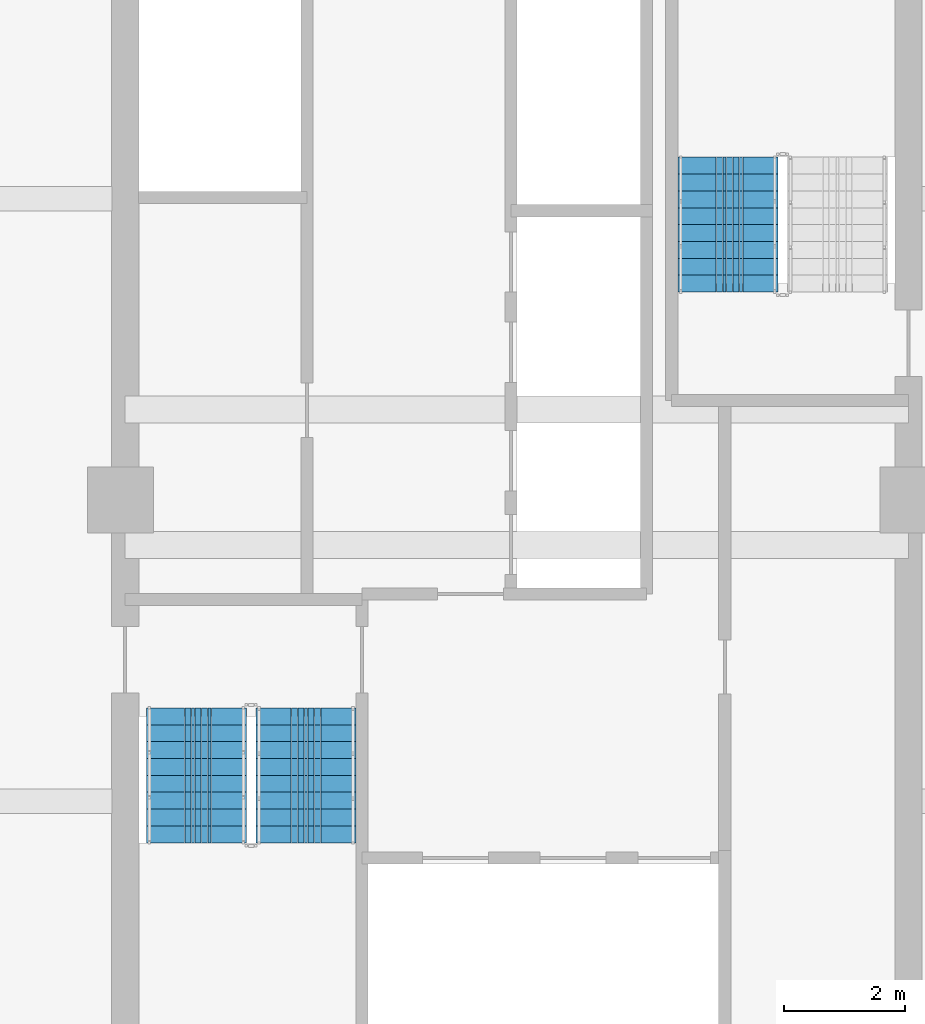
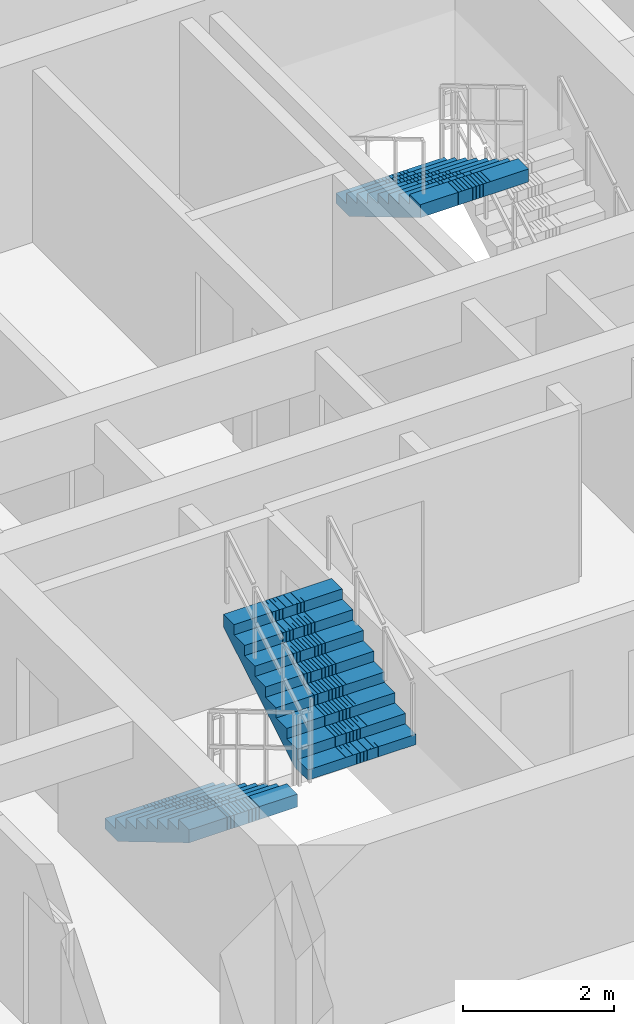
# One storey, part 18 of 24: 3 stair flights, 2 elements without a shape of their own.
"""IFC4 building model written with IfcOpenShell, lengths in metres."""

from ifc_helpers import new_model, si_unit, direction, frame, origin, place, context, subcontext, project, spatial, polyline, outline, extrude, material, type_object, element, aggregate, save


model = new_model("IFC4")

# Units and contexts
model_context = context("Model", 3, precision=1e-05, world=origin(), true_north=direction((0.0, 1.0)))
body_context = subcontext(model_context, "Body", "Model", "MODEL_VIEW")
ifc_project = project(units=[si_unit("LENGTHUNIT", "METRE"), si_unit("AREAUNIT", "SQUARE_METRE"), si_unit("VOLUMEUNIT", "CUBIC_METRE"), si_unit("PLANEANGLEUNIT", "RADIAN"), si_unit("MASSUNIT", "GRAM", prefix="KILO")], contexts=[model_context])

# Site, building, storey
site_placement = place(None, origin())
site = spatial("IfcSite", under=ifc_project, at=site_placement, CompositionType="ELEMENT")
building_placement = place(site_placement, origin())
building = spatial("IfcBuilding", under=site, at=building_placement, Name="Saelheon Loggia Tower", CompositionType="ELEMENT")
storey_placement = place(building_placement, frame((0.0, 0.0, 166.0)))
storey = spatial("IfcBuildingStorey", under=building, at=storey_placement, Name="L52", CompositionType="ELEMENT", Elevation=166.0)

# Stair, stair flights
ifc_material = material(Name="Concrete C40/50", Category="concrete")
stair_type = type_object("IfcStairType", Name="Stair_Escape_Core", PredefinedType="HALF_TURN_STAIR", material=ifc_material)
stair_1_placement = place(storey_placement, origin())
stair_1 = element("IfcStair", 1, at=stair_1_placement, inside=storey, type_object=stair_type, Name="L52 Special Escape Stair ST1", PredefinedType="HALF_TURN_STAIR")
stair_flight_type = type_object("IfcStairFlightType", Name="StairFlight_Tower_1660", PredefinedType="STRAIGHT", material=ifc_material)
stair_flight_1_placement = place(storey_placement, frame((32.679931640625, 23.550048828125, 0.0), z_axis=(0.0, 0.0, 1.0), x_axis=(0.0, -1.0, 0.0)))
stair_flight_1 = element("IfcStairFlight", 2, at=stair_flight_1_placement, type_object=stair_flight_type, Name="ST1 flight 1", NumberOfRisers=9, NumberOfTreads=8, PredefinedType="STRAIGHT", RiserHeight=0.166666667, TreadLength=0.28, context=body_context, shape_type="SweptSolid", body=[
    extrude(outline(polyline([(0.0, 0.0), (0.0, 0.166748046875), (0.280029296875, 0.166748046875), (0.280029296875, 0.333251953125), (0.56005859375, 0.333251953125), (0.56005859375, 0.5), (0.840087890625, 0.5), (0.840087890625, 0.666748046875), (1.1201171875, 0.666748046875), (1.1201171875, 0.833251953125), (1.39990234375, 0.833251953125), (1.39990234375, 1.0), (1.679931640625, 1.0), (1.679931640625, 1.166748046875), (1.9599609375, 1.166748046875), (1.9599609375, 1.333251953125), (2.239990234375, 1.333251953125), (2.239990234375, 1.5), (2.239990234375, 1.1240234375), (0.351806640625, 0.0), (0.0, 0.0)])), frame((0.0, -0.2490234375, 0.0), z_axis=(0.0, -1.0, 0.0), x_axis=(1.0, 0.0, 0.0)), (0.0, 0.0, 1.0), 0.5810546875),
    extrude(outline(polyline([(0.0, 0.0), (0.0, 0.166748046875), (0.280029296875, 0.166748046875), (0.280029296875, 0.333251953125), (0.56005859375, 0.333251953125), (0.56005859375, 0.5), (0.840087890625, 0.5), (0.840087890625, 0.666748046875), (1.1201171875, 0.666748046875), (1.1201171875, 0.833251953125), (1.39990234375, 0.833251953125), (1.39990234375, 1.0), (1.679931640625, 1.0), (1.679931640625, 1.166748046875), (1.9599609375, 1.166748046875), (1.9599609375, 1.333251953125), (2.239990234375, 1.333251953125), (2.239990234375, 1.5), (2.239990234375, 1.1240234375), (0.351806640625, 0.0), (0.0, 0.0)])), frame((0.0, -0.194091796875, 0.0), z_axis=(0.0, -1.0, 0.0), x_axis=(1.0, 0.0, 0.0)), (0.0, 0.0, 1.0), 0.0498046875),
    extrude(outline(polyline([(0.0, 0.0), (0.0, 0.166748046875), (0.280029296875, 0.166748046875), (0.280029296875, 0.333251953125), (0.56005859375, 0.333251953125), (0.56005859375, 0.5), (0.840087890625, 0.5), (0.840087890625, 0.666748046875), (1.1201171875, 0.666748046875), (1.1201171875, 0.833251953125), (1.39990234375, 0.833251953125), (1.39990234375, 1.0), (1.679931640625, 1.0), (1.679931640625, 1.166748046875), (1.9599609375, 1.166748046875), (1.9599609375, 1.333251953125), (2.239990234375, 1.333251953125), (2.239990234375, 1.5), (2.239990234375, 1.1240234375), (0.351806640625, 0.0), (0.0, 0.0)])), frame((0.0, -0.139404296875, 0.0), z_axis=(0.0, -1.0, 0.0), x_axis=(1.0, 0.0, 0.0)), (0.0, 0.0, 1.0), 0.0498046875),
    extrude(outline(polyline([(0.0, 0.0), (0.0, 0.166748046875), (0.280029296875, 0.166748046875), (0.280029296875, 0.333251953125), (0.56005859375, 0.333251953125), (0.56005859375, 0.5), (0.840087890625, 0.5), (0.840087890625, 0.666748046875), (1.1201171875, 0.666748046875), (1.1201171875, 0.833251953125), (1.39990234375, 0.833251953125), (1.39990234375, 1.0), (1.679931640625, 1.0), (1.679931640625, 1.166748046875), (1.9599609375, 1.166748046875), (1.9599609375, 1.333251953125), (2.239990234375, 1.333251953125), (2.239990234375, 1.5), (2.239990234375, 1.1240234375), (0.351806640625, 0.0), (0.0, 0.0)])), frame((0.0, -0.084716796875, 0.0), z_axis=(0.0, -1.0, 0.0), x_axis=(1.0, 0.0, 0.0)), (0.0, 0.0, 1.0), 0.0498046875),
    extrude(outline(polyline([(0.0, 0.0), (0.0, 0.166748046875), (0.280029296875, 0.166748046875), (0.280029296875, 0.333251953125), (0.56005859375, 0.333251953125), (0.56005859375, 0.5), (0.840087890625, 0.5), (0.840087890625, 0.666748046875), (1.1201171875, 0.666748046875), (1.1201171875, 0.833251953125), (1.39990234375, 0.833251953125), (1.39990234375, 1.0), (1.679931640625, 1.0), (1.679931640625, 1.166748046875), (1.9599609375, 1.166748046875), (1.9599609375, 1.333251953125), (2.239990234375, 1.333251953125), (2.239990234375, 1.5), (2.239990234375, 1.1240234375), (0.351806640625, 0.0), (0.0, 0.0)])), frame((0.0, -0.02978515625, 0.0), z_axis=(0.0, -1.0, 0.0), x_axis=(1.0, 0.0, 0.0)), (0.0, 0.0, 1.0), 0.0498046875),
    extrude(outline(polyline([(0.0, 0.0), (0.0, 0.166748046875), (0.280029296875, 0.166748046875), (0.280029296875, 0.333251953125), (0.56005859375, 0.333251953125), (0.56005859375, 0.5), (0.840087890625, 0.5), (0.840087890625, 0.666748046875), (1.1201171875, 0.666748046875), (1.1201171875, 0.833251953125), (1.39990234375, 0.833251953125), (1.39990234375, 1.0), (1.679931640625, 1.0), (1.679931640625, 1.166748046875), (1.9599609375, 1.166748046875), (1.9599609375, 1.333251953125), (2.239990234375, 1.333251953125), (2.239990234375, 1.5), (2.239990234375, 1.1240234375), (0.351806640625, 0.0), (0.0, 0.0)])), frame((0.0, 0.02490234375, 0.0), z_axis=(0.0, -1.0, 0.0), x_axis=(1.0, 0.0, 0.0)), (0.0, 0.0, 1.0), 0.0498046875),
    extrude(outline(polyline([(0.0, 0.0), (0.0, 0.166748046875), (0.280029296875, 0.166748046875), (0.280029296875, 0.333251953125), (0.56005859375, 0.333251953125), (0.56005859375, 0.5), (0.840087890625, 0.5), (0.840087890625, 0.666748046875), (1.1201171875, 0.666748046875), (1.1201171875, 0.833251953125), (1.39990234375, 0.833251953125), (1.39990234375, 1.0), (1.679931640625, 1.0), (1.679931640625, 1.166748046875), (1.9599609375, 1.166748046875), (1.9599609375, 1.333251953125), (2.239990234375, 1.333251953125), (2.239990234375, 1.5), (2.239990234375, 1.1240234375), (0.351806640625, 0.0), (0.0, 0.0)])), frame((0.0, 0.07958984375, 0.0), z_axis=(0.0, -1.0, 0.0), x_axis=(1.0, 0.0, 0.0)), (0.0, 0.0, 1.0), 0.0498046875),
    extrude(outline(polyline([(0.0, 0.0), (0.0, 0.166748046875), (0.280029296875, 0.166748046875), (0.280029296875, 0.333251953125), (0.56005859375, 0.333251953125), (0.56005859375, 0.5), (0.840087890625, 0.5), (0.840087890625, 0.666748046875), (1.1201171875, 0.666748046875), (1.1201171875, 0.833251953125), (1.39990234375, 0.833251953125), (1.39990234375, 1.0), (1.679931640625, 1.0), (1.679931640625, 1.166748046875), (1.9599609375, 1.166748046875), (1.9599609375, 1.333251953125), (2.239990234375, 1.333251953125), (2.239990234375, 1.5), (2.239990234375, 1.1240234375), (0.351806640625, 0.0), (0.0, 0.0)])), frame((0.0, 0.134521484375, 0.0), z_axis=(0.0, -1.0, 0.0), x_axis=(1.0, 0.0, 0.0)), (0.0, 0.0, 1.0), 0.0498046875),
    extrude(outline(polyline([(0.0, 0.0), (0.0, 0.166748046875), (0.280029296875, 0.166748046875), (0.280029296875, 0.333251953125), (0.56005859375, 0.333251953125), (0.56005859375, 0.5), (0.840087890625, 0.5), (0.840087890625, 0.666748046875), (1.1201171875, 0.666748046875), (1.1201171875, 0.833251953125), (1.39990234375, 0.833251953125), (1.39990234375, 1.0), (1.679931640625, 1.0), (1.679931640625, 1.166748046875), (1.9599609375, 1.166748046875), (1.9599609375, 1.333251953125), (2.239990234375, 1.333251953125), (2.239990234375, 1.5), (2.239990234375, 1.1240234375), (0.351806640625, 0.0), (0.0, 0.0)])), frame((0.0, 0.189208984375, 0.0), z_axis=(0.0, -1.0, 0.0), x_axis=(1.0, 0.0, 0.0)), (0.0, 0.0, 1.0), 0.0498046875),
    extrude(outline(polyline([(0.0, 0.0), (0.0, 0.166748046875), (0.280029296875, 0.166748046875), (0.280029296875, 0.333251953125), (0.56005859375, 0.333251953125), (0.56005859375, 0.5), (0.840087890625, 0.5), (0.840087890625, 0.666748046875), (1.1201171875, 0.666748046875), (1.1201171875, 0.833251953125), (1.39990234375, 0.833251953125), (1.39990234375, 1.0), (1.679931640625, 1.0), (1.679931640625, 1.166748046875), (1.9599609375, 1.166748046875), (1.9599609375, 1.333251953125), (2.239990234375, 1.333251953125), (2.239990234375, 1.5), (2.239990234375, 1.1240234375), (0.351806640625, 0.0), (0.0, 0.0)])), frame((0.0, 0.243896484375, 0.0), z_axis=(0.0, -1.0, 0.0), x_axis=(1.0, 0.0, 0.0)), (0.0, 0.0, 1.0), 0.0498046875),
    extrude(outline(polyline([(0.0, 0.0), (0.0, 0.166748046875), (0.280029296875, 0.166748046875), (0.280029296875, 0.333251953125), (0.56005859375, 0.333251953125), (0.56005859375, 0.5), (0.840087890625, 0.5), (0.840087890625, 0.666748046875), (1.1201171875, 0.666748046875), (1.1201171875, 0.833251953125), (1.39990234375, 0.833251953125), (1.39990234375, 1.0), (1.679931640625, 1.0), (1.679931640625, 1.166748046875), (1.9599609375, 1.166748046875), (1.9599609375, 1.333251953125), (2.239990234375, 1.333251953125), (2.239990234375, 1.5), (2.239990234375, 1.1240234375), (0.351806640625, 0.0), (0.0, 0.0)])), frame((0.0, 0.830078125, 0.0), z_axis=(0.0, -1.0, 0.0), x_axis=(1.0, 0.0, 0.0)), (0.0, 0.0, 1.0), 0.5810546875),
])
stair_flight_2_placement = place(storey_placement, frame((34.5, 21.31005859375, 1.5), z_axis=(0.0, 0.0, 1.0), x_axis=(0.0, 1.0, 0.0)))
stair_flight_2 = element("IfcStairFlight", 3, at=stair_flight_2_placement, type_object=stair_flight_type, Name="ST1 flight 2", NumberOfRisers=9, NumberOfTreads=8, PredefinedType="STRAIGHT", RiserHeight=0.166666667, TreadLength=0.28, context=body_context, shape_type="SweptSolid", body=[
    extrude(outline(polyline([(0.0, 0.0), (0.0, 0.166748046875), (0.280029296875, 0.166748046875), (0.280029296875, 0.333251953125), (0.56005859375, 0.333251953125), (0.56005859375, 0.5), (0.840087890625, 0.5), (0.840087890625, 0.666748046875), (1.1201171875, 0.666748046875), (1.1201171875, 0.833251953125), (1.39990234375, 0.833251953125), (1.39990234375, 1.0), (1.679931640625, 1.0), (1.679931640625, 1.166748046875), (1.9599609375, 1.166748046875), (1.9599609375, 1.333251953125), (2.239990234375, 1.333251953125), (2.239990234375, 1.5), (2.239990234375, 1.1240234375), (0.351806640625, 0.0), (0.0, 0.0)])), frame((0.0, -0.2490234375, 0.0), z_axis=(0.0, -1.0, 0.0), x_axis=(1.0, 0.0, 0.0)), (0.0, 0.0, 1.0), 0.5810546875),
    extrude(outline(polyline([(0.0, 0.0), (0.0, 0.166748046875), (0.280029296875, 0.166748046875), (0.280029296875, 0.333251953125), (0.56005859375, 0.333251953125), (0.56005859375, 0.5), (0.840087890625, 0.5), (0.840087890625, 0.666748046875), (1.1201171875, 0.666748046875), (1.1201171875, 0.833251953125), (1.39990234375, 0.833251953125), (1.39990234375, 1.0), (1.679931640625, 1.0), (1.679931640625, 1.166748046875), (1.9599609375, 1.166748046875), (1.9599609375, 1.333251953125), (2.239990234375, 1.333251953125), (2.239990234375, 1.5), (2.239990234375, 1.1240234375), (0.351806640625, 0.0), (0.0, 0.0)])), frame((0.0, -0.194091796875, 0.0), z_axis=(0.0, -1.0, 0.0), x_axis=(1.0, 0.0, 0.0)), (0.0, 0.0, 1.0), 0.0498046875),
    extrude(outline(polyline([(0.0, 0.0), (0.0, 0.166748046875), (0.280029296875, 0.166748046875), (0.280029296875, 0.333251953125), (0.56005859375, 0.333251953125), (0.56005859375, 0.5), (0.840087890625, 0.5), (0.840087890625, 0.666748046875), (1.1201171875, 0.666748046875), (1.1201171875, 0.833251953125), (1.39990234375, 0.833251953125), (1.39990234375, 1.0), (1.679931640625, 1.0), (1.679931640625, 1.166748046875), (1.9599609375, 1.166748046875), (1.9599609375, 1.333251953125), (2.239990234375, 1.333251953125), (2.239990234375, 1.5), (2.239990234375, 1.1240234375), (0.351806640625, 0.0), (0.0, 0.0)])), frame((0.0, -0.139404296875, 0.0), z_axis=(0.0, -1.0, 0.0), x_axis=(1.0, 0.0, 0.0)), (0.0, 0.0, 1.0), 0.0498046875),
    extrude(outline(polyline([(0.0, 0.0), (0.0, 0.166748046875), (0.280029296875, 0.166748046875), (0.280029296875, 0.333251953125), (0.56005859375, 0.333251953125), (0.56005859375, 0.5), (0.840087890625, 0.5), (0.840087890625, 0.666748046875), (1.1201171875, 0.666748046875), (1.1201171875, 0.833251953125), (1.39990234375, 0.833251953125), (1.39990234375, 1.0), (1.679931640625, 1.0), (1.679931640625, 1.166748046875), (1.9599609375, 1.166748046875), (1.9599609375, 1.333251953125), (2.239990234375, 1.333251953125), (2.239990234375, 1.5), (2.239990234375, 1.1240234375), (0.351806640625, 0.0), (0.0, 0.0)])), frame((0.0, -0.084716796875, 0.0), z_axis=(0.0, -1.0, 0.0), x_axis=(1.0, 0.0, 0.0)), (0.0, 0.0, 1.0), 0.0498046875),
    extrude(outline(polyline([(0.0, 0.0), (0.0, 0.166748046875), (0.280029296875, 0.166748046875), (0.280029296875, 0.333251953125), (0.56005859375, 0.333251953125), (0.56005859375, 0.5), (0.840087890625, 0.5), (0.840087890625, 0.666748046875), (1.1201171875, 0.666748046875), (1.1201171875, 0.833251953125), (1.39990234375, 0.833251953125), (1.39990234375, 1.0), (1.679931640625, 1.0), (1.679931640625, 1.166748046875), (1.9599609375, 1.166748046875), (1.9599609375, 1.333251953125), (2.239990234375, 1.333251953125), (2.239990234375, 1.5), (2.239990234375, 1.1240234375), (0.351806640625, 0.0), (0.0, 0.0)])), frame((0.0, -0.02978515625, 0.0), z_axis=(0.0, -1.0, 0.0), x_axis=(1.0, 0.0, 0.0)), (0.0, 0.0, 1.0), 0.0498046875),
    extrude(outline(polyline([(0.0, 0.0), (0.0, 0.166748046875), (0.280029296875, 0.166748046875), (0.280029296875, 0.333251953125), (0.56005859375, 0.333251953125), (0.56005859375, 0.5), (0.840087890625, 0.5), (0.840087890625, 0.666748046875), (1.1201171875, 0.666748046875), (1.1201171875, 0.833251953125), (1.39990234375, 0.833251953125), (1.39990234375, 1.0), (1.679931640625, 1.0), (1.679931640625, 1.166748046875), (1.9599609375, 1.166748046875), (1.9599609375, 1.333251953125), (2.239990234375, 1.333251953125), (2.239990234375, 1.5), (2.239990234375, 1.1240234375), (0.351806640625, 0.0), (0.0, 0.0)])), frame((0.0, 0.02490234375, 0.0), z_axis=(0.0, -1.0, 0.0), x_axis=(1.0, 0.0, 0.0)), (0.0, 0.0, 1.0), 0.0498046875),
    extrude(outline(polyline([(0.0, 0.0), (0.0, 0.166748046875), (0.280029296875, 0.166748046875), (0.280029296875, 0.333251953125), (0.56005859375, 0.333251953125), (0.56005859375, 0.5), (0.840087890625, 0.5), (0.840087890625, 0.666748046875), (1.1201171875, 0.666748046875), (1.1201171875, 0.833251953125), (1.39990234375, 0.833251953125), (1.39990234375, 1.0), (1.679931640625, 1.0), (1.679931640625, 1.166748046875), (1.9599609375, 1.166748046875), (1.9599609375, 1.333251953125), (2.239990234375, 1.333251953125), (2.239990234375, 1.5), (2.239990234375, 1.1240234375), (0.351806640625, 0.0), (0.0, 0.0)])), frame((0.0, 0.07958984375, 0.0), z_axis=(0.0, -1.0, 0.0), x_axis=(1.0, 0.0, 0.0)), (0.0, 0.0, 1.0), 0.0498046875),
    extrude(outline(polyline([(0.0, 0.0), (0.0, 0.166748046875), (0.280029296875, 0.166748046875), (0.280029296875, 0.333251953125), (0.56005859375, 0.333251953125), (0.56005859375, 0.5), (0.840087890625, 0.5), (0.840087890625, 0.666748046875), (1.1201171875, 0.666748046875), (1.1201171875, 0.833251953125), (1.39990234375, 0.833251953125), (1.39990234375, 1.0), (1.679931640625, 1.0), (1.679931640625, 1.166748046875), (1.9599609375, 1.166748046875), (1.9599609375, 1.333251953125), (2.239990234375, 1.333251953125), (2.239990234375, 1.5), (2.239990234375, 1.1240234375), (0.351806640625, 0.0), (0.0, 0.0)])), frame((0.0, 0.134521484375, 0.0), z_axis=(0.0, -1.0, 0.0), x_axis=(1.0, 0.0, 0.0)), (0.0, 0.0, 1.0), 0.0498046875),
    extrude(outline(polyline([(0.0, 0.0), (0.0, 0.166748046875), (0.280029296875, 0.166748046875), (0.280029296875, 0.333251953125), (0.56005859375, 0.333251953125), (0.56005859375, 0.5), (0.840087890625, 0.5), (0.840087890625, 0.666748046875), (1.1201171875, 0.666748046875), (1.1201171875, 0.833251953125), (1.39990234375, 0.833251953125), (1.39990234375, 1.0), (1.679931640625, 1.0), (1.679931640625, 1.166748046875), (1.9599609375, 1.166748046875), (1.9599609375, 1.333251953125), (2.239990234375, 1.333251953125), (2.239990234375, 1.5), (2.239990234375, 1.1240234375), (0.351806640625, 0.0), (0.0, 0.0)])), frame((0.0, 0.189208984375, 0.0), z_axis=(0.0, -1.0, 0.0), x_axis=(1.0, 0.0, 0.0)), (0.0, 0.0, 1.0), 0.0498046875),
    extrude(outline(polyline([(0.0, 0.0), (0.0, 0.166748046875), (0.280029296875, 0.166748046875), (0.280029296875, 0.333251953125), (0.56005859375, 0.333251953125), (0.56005859375, 0.5), (0.840087890625, 0.5), (0.840087890625, 0.666748046875), (1.1201171875, 0.666748046875), (1.1201171875, 0.833251953125), (1.39990234375, 0.833251953125), (1.39990234375, 1.0), (1.679931640625, 1.0), (1.679931640625, 1.166748046875), (1.9599609375, 1.166748046875), (1.9599609375, 1.333251953125), (2.239990234375, 1.333251953125), (2.239990234375, 1.5), (2.239990234375, 1.1240234375), (0.351806640625, 0.0), (0.0, 0.0)])), frame((0.0, 0.243896484375, 0.0), z_axis=(0.0, -1.0, 0.0), x_axis=(1.0, 0.0, 0.0)), (0.0, 0.0, 1.0), 0.0498046875),
    extrude(outline(polyline([(0.0, 0.0), (0.0, 0.166748046875), (0.280029296875, 0.166748046875), (0.280029296875, 0.333251953125), (0.56005859375, 0.333251953125), (0.56005859375, 0.5), (0.840087890625, 0.5), (0.840087890625, 0.666748046875), (1.1201171875, 0.666748046875), (1.1201171875, 0.833251953125), (1.39990234375, 0.833251953125), (1.39990234375, 1.0), (1.679931640625, 1.0), (1.679931640625, 1.166748046875), (1.9599609375, 1.166748046875), (1.9599609375, 1.333251953125), (2.239990234375, 1.333251953125), (2.239990234375, 1.5), (2.239990234375, 1.1240234375), (0.351806640625, 0.0), (0.0, 0.0)])), frame((0.0, 0.830078125, 0.0), z_axis=(0.0, -1.0, 0.0), x_axis=(1.0, 0.0, 0.0)), (0.0, 0.0, 1.0), 0.5810546875),
])
aggregate(stair_1, [stair_flight_1, stair_flight_2])

# Stair, stair flight
stair_2_placement = place(storey_placement, origin())
stair_2 = element("IfcStair", 4, at=stair_2_placement, inside=storey, type_object=stair_type, Name="L52 Special Escape Stair ST2", PredefinedType="HALF_TURN_STAIR")
stair_flight_3_placement = place(storey_placement, frame((41.5, 32.68994140625, 1.5), z_axis=(0.0, 0.0, 1.0), x_axis=(0.0, -1.0, 0.0)))
stair_flight_3 = element("IfcStairFlight", 5, at=stair_flight_3_placement, type_object=stair_flight_type, Name="ST2 flight 2", NumberOfRisers=9, NumberOfTreads=8, PredefinedType="STRAIGHT", RiserHeight=0.166666667, TreadLength=0.28, context=body_context, shape_type="SweptSolid", body=[
    extrude(outline(polyline([(0.0, 0.0), (0.0, 0.166748046875), (0.280029296875, 0.166748046875), (0.280029296875, 0.333251953125), (0.56005859375, 0.333251953125), (0.56005859375, 0.5), (0.840087890625, 0.5), (0.840087890625, 0.666748046875), (1.1201171875, 0.666748046875), (1.1201171875, 0.833251953125), (1.39990234375, 0.833251953125), (1.39990234375, 1.0), (1.679931640625, 1.0), (1.679931640625, 1.166748046875), (1.9599609375, 1.166748046875), (1.9599609375, 1.333251953125), (2.239990234375, 1.333251953125), (2.239990234375, 1.5), (2.239990234375, 1.1240234375), (0.351806640625, 0.0), (0.0, 0.0)])), frame((0.0, -0.2490234375, 0.0), z_axis=(0.0, -1.0, 0.0), x_axis=(1.0, 0.0, 0.0)), (0.0, 0.0, 1.0), 0.5810546875),
    extrude(outline(polyline([(0.0, 0.0), (0.0, 0.166748046875), (0.280029296875, 0.166748046875), (0.280029296875, 0.333251953125), (0.56005859375, 0.333251953125), (0.56005859375, 0.5), (0.840087890625, 0.5), (0.840087890625, 0.666748046875), (1.1201171875, 0.666748046875), (1.1201171875, 0.833251953125), (1.39990234375, 0.833251953125), (1.39990234375, 1.0), (1.679931640625, 1.0), (1.679931640625, 1.166748046875), (1.9599609375, 1.166748046875), (1.9599609375, 1.333251953125), (2.239990234375, 1.333251953125), (2.239990234375, 1.5), (2.239990234375, 1.1240234375), (0.351806640625, 0.0), (0.0, 0.0)])), frame((0.0, -0.194091796875, 0.0), z_axis=(0.0, -1.0, 0.0), x_axis=(1.0, 0.0, 0.0)), (0.0, 0.0, 1.0), 0.0498046875),
    extrude(outline(polyline([(0.0, 0.0), (0.0, 0.166748046875), (0.280029296875, 0.166748046875), (0.280029296875, 0.333251953125), (0.56005859375, 0.333251953125), (0.56005859375, 0.5), (0.840087890625, 0.5), (0.840087890625, 0.666748046875), (1.1201171875, 0.666748046875), (1.1201171875, 0.833251953125), (1.39990234375, 0.833251953125), (1.39990234375, 1.0), (1.679931640625, 1.0), (1.679931640625, 1.166748046875), (1.9599609375, 1.166748046875), (1.9599609375, 1.333251953125), (2.239990234375, 1.333251953125), (2.239990234375, 1.5), (2.239990234375, 1.1240234375), (0.351806640625, 0.0), (0.0, 0.0)])), frame((0.0, -0.139404296875, 0.0), z_axis=(0.0, -1.0, 0.0), x_axis=(1.0, 0.0, 0.0)), (0.0, 0.0, 1.0), 0.0498046875),
    extrude(outline(polyline([(0.0, 0.0), (0.0, 0.166748046875), (0.280029296875, 0.166748046875), (0.280029296875, 0.333251953125), (0.56005859375, 0.333251953125), (0.56005859375, 0.5), (0.840087890625, 0.5), (0.840087890625, 0.666748046875), (1.1201171875, 0.666748046875), (1.1201171875, 0.833251953125), (1.39990234375, 0.833251953125), (1.39990234375, 1.0), (1.679931640625, 1.0), (1.679931640625, 1.166748046875), (1.9599609375, 1.166748046875), (1.9599609375, 1.333251953125), (2.239990234375, 1.333251953125), (2.239990234375, 1.5), (2.239990234375, 1.1240234375), (0.351806640625, 0.0), (0.0, 0.0)])), frame((0.0, -0.084716796875, 0.0), z_axis=(0.0, -1.0, 0.0), x_axis=(1.0, 0.0, 0.0)), (0.0, 0.0, 1.0), 0.0498046875),
    extrude(outline(polyline([(0.0, 0.0), (0.0, 0.166748046875), (0.280029296875, 0.166748046875), (0.280029296875, 0.333251953125), (0.56005859375, 0.333251953125), (0.56005859375, 0.5), (0.840087890625, 0.5), (0.840087890625, 0.666748046875), (1.1201171875, 0.666748046875), (1.1201171875, 0.833251953125), (1.39990234375, 0.833251953125), (1.39990234375, 1.0), (1.679931640625, 1.0), (1.679931640625, 1.166748046875), (1.9599609375, 1.166748046875), (1.9599609375, 1.333251953125), (2.239990234375, 1.333251953125), (2.239990234375, 1.5), (2.239990234375, 1.1240234375), (0.351806640625, 0.0), (0.0, 0.0)])), frame((0.0, -0.02978515625, 0.0), z_axis=(0.0, -1.0, 0.0), x_axis=(1.0, 0.0, 0.0)), (0.0, 0.0, 1.0), 0.0498046875),
    extrude(outline(polyline([(0.0, 0.0), (0.0, 0.166748046875), (0.280029296875, 0.166748046875), (0.280029296875, 0.333251953125), (0.56005859375, 0.333251953125), (0.56005859375, 0.5), (0.840087890625, 0.5), (0.840087890625, 0.666748046875), (1.1201171875, 0.666748046875), (1.1201171875, 0.833251953125), (1.39990234375, 0.833251953125), (1.39990234375, 1.0), (1.679931640625, 1.0), (1.679931640625, 1.166748046875), (1.9599609375, 1.166748046875), (1.9599609375, 1.333251953125), (2.239990234375, 1.333251953125), (2.239990234375, 1.5), (2.239990234375, 1.1240234375), (0.351806640625, 0.0), (0.0, 0.0)])), frame((0.0, 0.02490234375, 0.0), z_axis=(0.0, -1.0, 0.0), x_axis=(1.0, 0.0, 0.0)), (0.0, 0.0, 1.0), 0.0498046875),
    extrude(outline(polyline([(0.0, 0.0), (0.0, 0.166748046875), (0.280029296875, 0.166748046875), (0.280029296875, 0.333251953125), (0.56005859375, 0.333251953125), (0.56005859375, 0.5), (0.840087890625, 0.5), (0.840087890625, 0.666748046875), (1.1201171875, 0.666748046875), (1.1201171875, 0.833251953125), (1.39990234375, 0.833251953125), (1.39990234375, 1.0), (1.679931640625, 1.0), (1.679931640625, 1.166748046875), (1.9599609375, 1.166748046875), (1.9599609375, 1.333251953125), (2.239990234375, 1.333251953125), (2.239990234375, 1.5), (2.239990234375, 1.1240234375), (0.351806640625, 0.0), (0.0, 0.0)])), frame((0.0, 0.07958984375, 0.0), z_axis=(0.0, -1.0, 0.0), x_axis=(1.0, 0.0, 0.0)), (0.0, 0.0, 1.0), 0.0498046875),
    extrude(outline(polyline([(0.0, 0.0), (0.0, 0.166748046875), (0.280029296875, 0.166748046875), (0.280029296875, 0.333251953125), (0.56005859375, 0.333251953125), (0.56005859375, 0.5), (0.840087890625, 0.5), (0.840087890625, 0.666748046875), (1.1201171875, 0.666748046875), (1.1201171875, 0.833251953125), (1.39990234375, 0.833251953125), (1.39990234375, 1.0), (1.679931640625, 1.0), (1.679931640625, 1.166748046875), (1.9599609375, 1.166748046875), (1.9599609375, 1.333251953125), (2.239990234375, 1.333251953125), (2.239990234375, 1.5), (2.239990234375, 1.1240234375), (0.351806640625, 0.0), (0.0, 0.0)])), frame((0.0, 0.134521484375, 0.0), z_axis=(0.0, -1.0, 0.0), x_axis=(1.0, 0.0, 0.0)), (0.0, 0.0, 1.0), 0.0498046875),
    extrude(outline(polyline([(0.0, 0.0), (0.0, 0.166748046875), (0.280029296875, 0.166748046875), (0.280029296875, 0.333251953125), (0.56005859375, 0.333251953125), (0.56005859375, 0.5), (0.840087890625, 0.5), (0.840087890625, 0.666748046875), (1.1201171875, 0.666748046875), (1.1201171875, 0.833251953125), (1.39990234375, 0.833251953125), (1.39990234375, 1.0), (1.679931640625, 1.0), (1.679931640625, 1.166748046875), (1.9599609375, 1.166748046875), (1.9599609375, 1.333251953125), (2.239990234375, 1.333251953125), (2.239990234375, 1.5), (2.239990234375, 1.1240234375), (0.351806640625, 0.0), (0.0, 0.0)])), frame((0.0, 0.189208984375, 0.0), z_axis=(0.0, -1.0, 0.0), x_axis=(1.0, 0.0, 0.0)), (0.0, 0.0, 1.0), 0.0498046875),
    extrude(outline(polyline([(0.0, 0.0), (0.0, 0.166748046875), (0.280029296875, 0.166748046875), (0.280029296875, 0.333251953125), (0.56005859375, 0.333251953125), (0.56005859375, 0.5), (0.840087890625, 0.5), (0.840087890625, 0.666748046875), (1.1201171875, 0.666748046875), (1.1201171875, 0.833251953125), (1.39990234375, 0.833251953125), (1.39990234375, 1.0), (1.679931640625, 1.0), (1.679931640625, 1.166748046875), (1.9599609375, 1.166748046875), (1.9599609375, 1.333251953125), (2.239990234375, 1.333251953125), (2.239990234375, 1.5), (2.239990234375, 1.1240234375), (0.351806640625, 0.0), (0.0, 0.0)])), frame((0.0, 0.243896484375, 0.0), z_axis=(0.0, -1.0, 0.0), x_axis=(1.0, 0.0, 0.0)), (0.0, 0.0, 1.0), 0.0498046875),
    extrude(outline(polyline([(0.0, 0.0), (0.0, 0.166748046875), (0.280029296875, 0.166748046875), (0.280029296875, 0.333251953125), (0.56005859375, 0.333251953125), (0.56005859375, 0.5), (0.840087890625, 0.5), (0.840087890625, 0.666748046875), (1.1201171875, 0.666748046875), (1.1201171875, 0.833251953125), (1.39990234375, 0.833251953125), (1.39990234375, 1.0), (1.679931640625, 1.0), (1.679931640625, 1.166748046875), (1.9599609375, 1.166748046875), (1.9599609375, 1.333251953125), (2.239990234375, 1.333251953125), (2.239990234375, 1.5), (2.239990234375, 1.1240234375), (0.351806640625, 0.0), (0.0, 0.0)])), frame((0.0, 0.830078125, 0.0), z_axis=(0.0, -1.0, 0.0), x_axis=(1.0, 0.0, 0.0)), (0.0, 0.0, 1.0), 0.5810546875),
])
aggregate(stair_2, [stair_flight_3])

save(model, "model.ifc")
